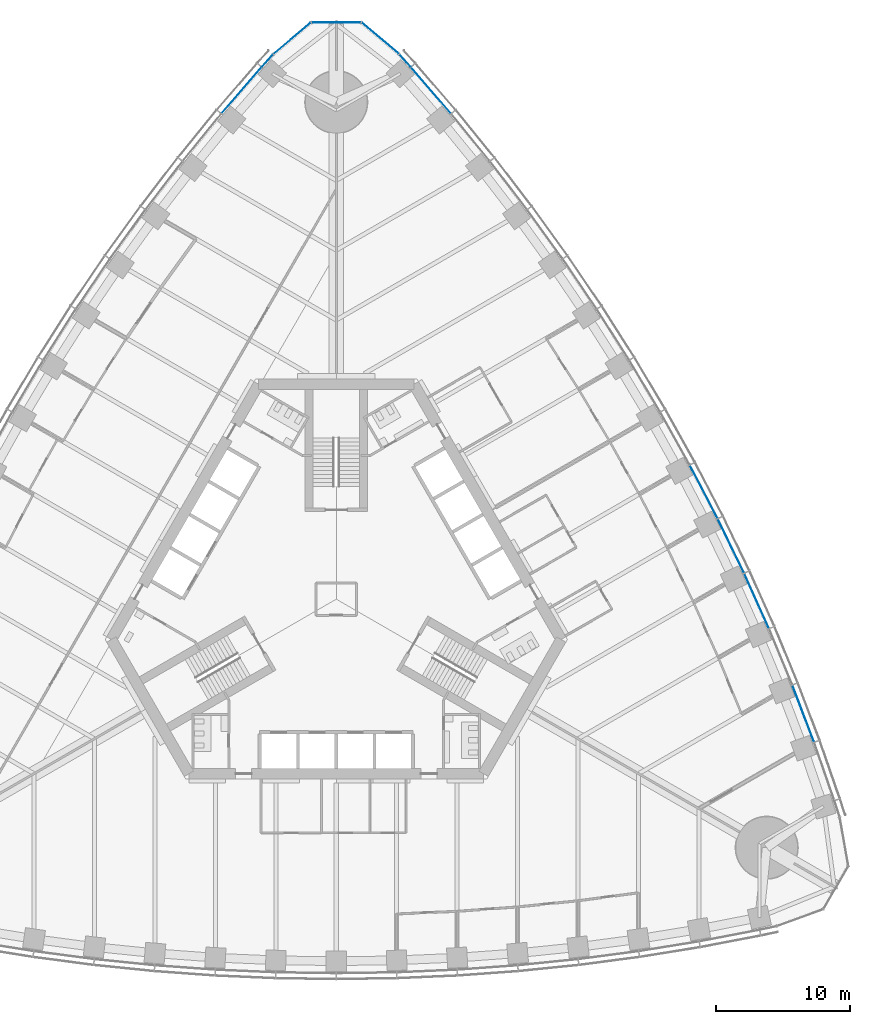
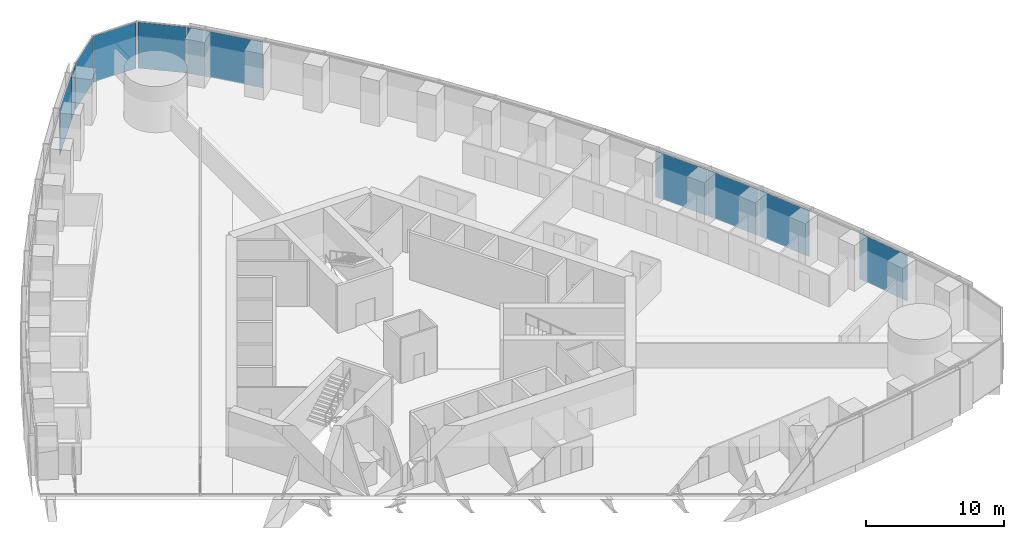
# One storey, part 9 of 18: 11 plates, 3 elements without a shape of their own.
"""IFC4 building model written with IfcOpenShell, lengths in metres."""

from ifc_helpers import new_model, si_unit, direction, frame, origin, origin_2d, place, context, subcontext, project, spatial, rectangle, extrude, material, layer, layer_set, type_object, element, aggregate, save


model = new_model("IFC4")

# Units and contexts
model_context = context("Model", 3, precision=1e-05, world=origin(), true_north=direction((0.0, 1.0)))
body_context = subcontext(model_context, "Body", "Model", "MODEL_VIEW")
ifc_project = project(units=[si_unit("LENGTHUNIT", "METRE"), si_unit("AREAUNIT", "SQUARE_METRE"), si_unit("VOLUMEUNIT", "CUBIC_METRE"), si_unit("PLANEANGLEUNIT", "RADIAN"), si_unit("MASSUNIT", "GRAM", prefix="KILO")], contexts=[model_context])

# Site, building, storey
site_placement = place(None, origin())
site = spatial("IfcSite", under=ifc_project, at=site_placement, CompositionType="ELEMENT")
building_placement = place(site_placement, origin())
building = spatial("IfcBuilding", under=site, at=building_placement, Name="Trefoil Bronze Tower", CompositionType="ELEMENT")
storey_placement = place(building_placement, frame((0.0, 0.0, 50.10009765625)))
storey = spatial("IfcBuildingStorey", under=building, at=storey_placement, Name="L11", CompositionType="ELEMENT", Elevation=50.10009765625)

# Curtain wall, plates
ifc_material_1 = material(Name="Tinted solar-control glass", Category="glass")
curtain_wall_type_1 = type_object("IfcCurtainWallType", Name="Bronze office curtain wall", PredefinedType="USERDEFINED", material=ifc_material_1)
curtain_wall_1_placement = place(storey_placement, origin())
curtain_wall_1 = element("IfcCurtainWall", 1, at=curtain_wall_1_placement, inside=storey, type_object=curtain_wall_type_1, Name="CW-A L11 F2", ObjectType="CURTAIN WALL", PredefinedType="USERDEFINED")
ifc_material_2 = material(Name="Tinted solar-control glass", Category="glass")
ifc_layer_1 = layer(ifc_material_2, 0.030029296875)
ifc_layer_set_1 = layer_set([ifc_layer_1], Name="Bronze office curtain wall glass panel")
plate_type_1 = type_object("IfcPlateType", Name="Bronze office curtain wall glass panel", PredefinedType="CURTAIN_PANEL", material=ifc_layer_set_1)
plate_1_placement = place(storey_placement, frame((34.763427734375, -8.526611328125, -0.000244140625), z_axis=(0.0, 0.0, 1.0), x_axis=(-0.355370585687, 0.934725492767, 0.0)))
plate_1 = element("IfcPlate", 2, at=plate_1_placement, type_object=plate_type_1, Name="CW-A L11 F2 panel 3", PredefinedType="CURTAIN_PANEL", context=body_context, shape_type="SweptSolid", body=[
    extrude(rectangle(XDim=4.478515625, YDim=0.030029296875, at=origin_2d()), origin(), (0.0, 0.0, 1.0), 4.080078125),
])
plate_2_placement = place(storey_placement, frame((31.28857421875, -0.1337890625, -0.000244140625), z_axis=(0.0, 0.0, 1.0), x_axis=(-0.40945635808, 0.912329705111, 0.0)))
plate_2 = element("IfcPlate", 3, at=plate_2_placement, type_object=plate_type_1, Name="CW-A L11 F2 panel 5", PredefinedType="CURTAIN_PANEL", context=body_context, shape_type="SweptSolid", body=[
    extrude(rectangle(XDim=4.443359375, YDim=0.030029296875, at=origin_2d()), origin(), (0.0, 0.0, 1.0), 4.080078125),
])
plate_3_placement = place(storey_placement, frame((29.3779296875, 3.962646484375, -0.000244140625), z_axis=(0.0, 0.0, 1.0), x_axis=(-0.4358553457, 0.900016731858, 0.0)))
plate_3 = element("IfcPlate", 4, at=plate_3_placement, type_object=plate_type_1, Name="CW-A L11 F2 panel 6", PredefinedType="CURTAIN_PANEL", context=body_context, shape_type="SweptSolid", body=[
    extrude(rectangle(XDim=4.431884765625, YDim=0.030029296875, at=origin_2d()), origin(), (0.0, 0.0, 1.0), 4.080078125),
])
plate_4_placement = place(storey_placement, frame((27.353271484375, 7.9931640625, -0.000244140625), z_axis=(0.0, 0.0, 1.0), x_axis=(-0.46182981834, 0.886968555752, 0.0)))
plate_4 = element("IfcPlate", 5, at=plate_4_placement, type_object=plate_type_1, Name="CW-A L11 F2 panel 7", PredefinedType="CURTAIN_PANEL", context=body_context, shape_type="SweptSolid", body=[
    extrude(rectangle(XDim=4.42431640625, YDim=0.030029296875, at=origin_2d()), origin(), (0.0, 0.0, 1.0), 4.080078125),
])
plate_5_placement = place(storey_placement, frame((7.056396484375, 37.870849609375, -0.000244140625), z_axis=(0.0, 0.0, 1.0), x_axis=(-0.654376090833, 0.756169248083, 0.0)))
plate_5 = element("IfcPlate", 6, at=plate_5_placement, type_object=plate_type_1, Name="CW-A L11 F2 panel 15", PredefinedType="CURTAIN_PANEL", context=body_context, shape_type="SweptSolid", body=[
    extrude(rectangle(XDim=4.502197265625, YDim=0.030029296875, at=origin_2d()), origin(), (0.0, 0.0, 1.0), 4.080078125),
])
plate_6_placement = place(storey_placement, frame((5.12451171875, 40.08447265625, -0.000244140625), z_axis=(0.0, 0.0, 1.0), x_axis=(-0.668575006272, 0.743644714221, 0.0)))
plate_6 = element("IfcPlate", 7, at=plate_6_placement, type_object=plate_type_1, Name="CW-A L11 F2 panel 16", PredefinedType="CURTAIN_PANEL", context=body_context, shape_type="SweptSolid", body=[
    extrude(rectangle(XDim=1.21044921875, YDim=0.030029296875, at=origin_2d()), origin(), (0.0, 0.0, 1.0), 4.080078125),
])
aggregate(curtain_wall_1, [plate_1, plate_2, plate_3, plate_4, plate_5, plate_6])

curtain_wall_2_placement = place(storey_placement, origin())
curtain_wall_2 = element("IfcCurtainWall", 8, at=curtain_wall_2_placement, inside=storey, type_object=curtain_wall_type_1, Name="CW-A L11 F3", ObjectType="CURTAIN WALL", PredefinedType="USERDEFINED")
plate_7_placement = place(storey_placement, frame((-5.12451171875, 40.08447265625, -0.000244140625), z_axis=(0.0, 0.0, 1.0), x_axis=(-0.668575006272, -0.743644714221, 0.0)))
plate_7 = element("IfcPlate", 9, at=plate_7_placement, type_object=plate_type_1, Name="CW-A L11 F3 panel 1", PredefinedType="CURTAIN_PANEL", context=body_context, shape_type="SweptSolid", body=[
    extrude(rectangle(XDim=1.21044921875, YDim=0.030029296875, at=origin_2d()), origin(), (0.0, 0.0, 1.0), 4.080078125),
])
plate_8_placement = place(storey_placement, frame((-7.056396484375, 37.870849609375, -0.000244140625), z_axis=(0.0, 0.0, 1.0), x_axis=(-0.654376090833, -0.756169248083, 0.0)))
plate_8 = element("IfcPlate", 10, at=plate_8_placement, type_object=plate_type_1, Name="CW-A L11 F3 panel 2", PredefinedType="CURTAIN_PANEL", context=body_context, shape_type="SweptSolid", body=[
    extrude(rectangle(XDim=4.502197265625, YDim=0.030029296875, at=origin_2d()), origin(), (0.0, 0.0, 1.0), 4.080078125),
])
aggregate(curtain_wall_2, [plate_7, plate_8])

ifc_material_3 = material(Name="Tinted solar-control glass", Category="glass")
curtain_wall_type_2 = type_object("IfcCurtainWallType", Name="Bronze rounded corner curtain wall", PredefinedType="USERDEFINED", material=ifc_material_3)
curtain_wall_3_placement = place(storey_placement, origin())
curtain_wall_3 = element("IfcCurtainWall", 11, at=curtain_wall_3_placement, inside=storey, type_object=curtain_wall_type_2, Name="CW-B L11 K2", ObjectType="CURTAIN WALL", PredefinedType="USERDEFINED")
ifc_material_4 = material(Name="Tinted solar-control glass", Category="glass")
ifc_layer_2 = layer(ifc_material_4, 0.030029296875)
ifc_layer_set_2 = layer_set([ifc_layer_2], Name="Bronze rounded corner curtain wall glass panel")
plate_type_2 = type_object("IfcPlateType", Name="Bronze rounded corner curtain wall glass panel", PredefinedType="CURTAIN_PANEL", material=ifc_layer_set_2)
plate_9_placement = place(storey_placement, frame((3.28564453125, 41.74658203125, -0.000244140625), z_axis=(0.0, 0.0, 1.0), x_axis=(-0.766044443119, 0.642787609687, 0.0)))
plate_9 = element("IfcPlate", 12, at=plate_9_placement, type_object=plate_type_2, Name="CW-B L11 K2 panel 1", PredefinedType="CURTAIN_PANEL", context=body_context, shape_type="SweptSolid", body=[
    extrude(rectangle(XDim=3.588134765625, YDim=0.030029296875, at=origin_2d()), origin(), (0.0, 0.0, 1.0), 4.080078125),
])
plate_10_placement = place(storey_placement, frame((0.0, 42.9423828125, -0.000244140625), z_axis=(0.0, 0.0, 1.0), x_axis=(-1.0, 0.0, 0.0)))
plate_10 = element("IfcPlate", 13, at=plate_10_placement, type_object=plate_type_2, Name="CW-B L11 K2 panel 2", PredefinedType="CURTAIN_PANEL", context=body_context, shape_type="SweptSolid", body=[
    extrude(rectangle(XDim=3.588134765625, YDim=0.030029296875, at=origin_2d()), origin(), (0.0, 0.0, 1.0), 4.080078125),
])
plate_11_placement = place(storey_placement, frame((-3.28564453125, 41.74658203125, -0.000244140625), z_axis=(0.0, 0.0, 1.0), x_axis=(-0.766044443119, -0.642787609687, 0.0)))
plate_11 = element("IfcPlate", 14, at=plate_11_placement, type_object=plate_type_2, Name="CW-B L11 K2 panel 3", PredefinedType="CURTAIN_PANEL", context=body_context, shape_type="SweptSolid", body=[
    extrude(rectangle(XDim=3.588134765625, YDim=0.030029296875, at=origin_2d()), origin(), (0.0, 0.0, 1.0), 4.080078125),
])
aggregate(curtain_wall_3, [plate_9, plate_10, plate_11])

save(model, "model.ifc")
